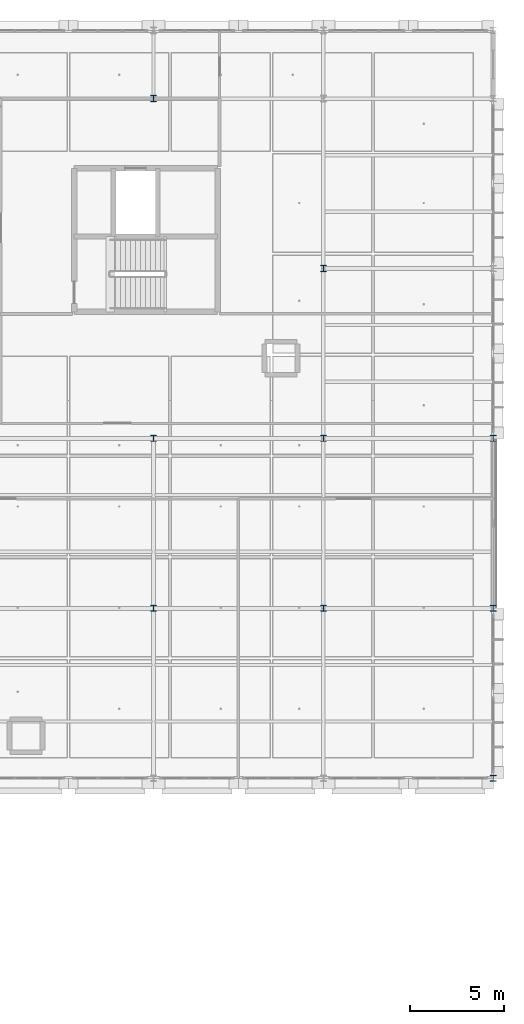
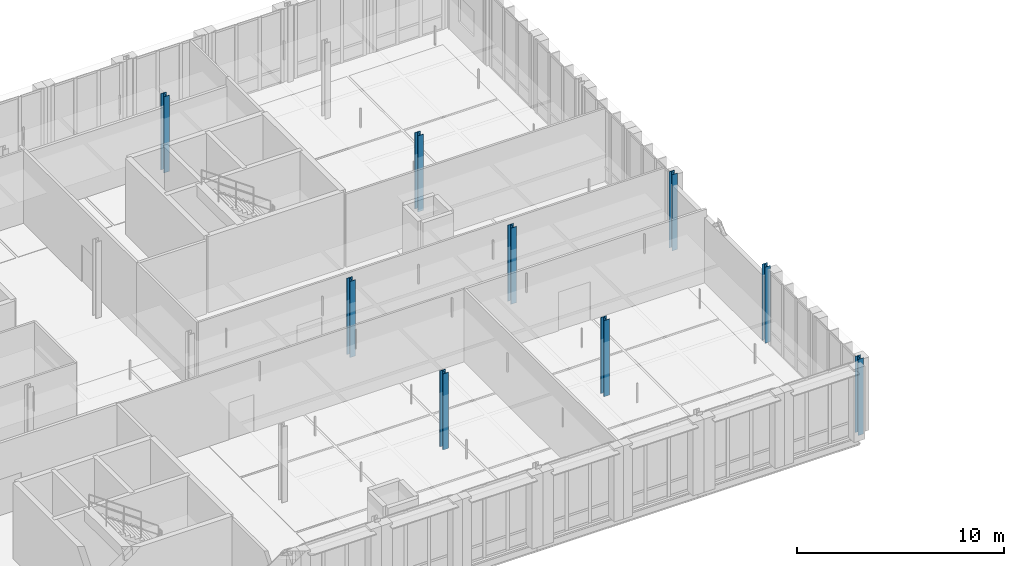
# One storey, part 14 of 89: 9 columns.
"""IFC4 building model written with IfcOpenShell, lengths in metres."""

from ifc_helpers import new_model, si_unit, direction, frame, origin, origin_2d, place, context, subcontext, project, spatial, i_section, extrude, material, material_profile, profile_set, type_object, element, save


model = new_model("IFC4")

# Units and contexts
model_context = context("Model", 3, precision=1e-05, world=origin(), true_north=direction((0.0, 1.0)))
body_context = subcontext(model_context, "Body", "Model", "MODEL_VIEW")
ifc_project = project(units=[si_unit("LENGTHUNIT", "METRE"), si_unit("AREAUNIT", "SQUARE_METRE"), si_unit("VOLUMEUNIT", "CUBIC_METRE"), si_unit("PLANEANGLEUNIT", "RADIAN"), si_unit("MASSUNIT", "GRAM", prefix="KILO"), si_unit("THERMODYNAMICTEMPERATUREUNIT", "KELVIN"), si_unit("POWERUNIT", "WATT")], contexts=[model_context])

# Site, building, storey
site_placement = place(None, origin())
site = spatial("IfcSite", under=ifc_project, at=site_placement, CompositionType="ELEMENT")
building_placement = place(site_placement, origin())
building = spatial("IfcBuilding", under=site, at=building_placement, Name="Tallowbark Science Centre", CompositionType="ELEMENT")
storey_placement = place(building_placement, frame((0.0, 0.0, 14.39990234375)))
storey = spatial("IfcBuildingStorey", under=building, at=storey_placement, Name="L03", CompositionType="ELEMENT", Elevation=14.39990234375)

# Columns
ifc_material = material(Name="Structural Steel Grade 300PLUS (300 MPa)", Category="steel")
ifc_material_profile_1 = material_profile(ifc_material, i_section(OverallWidth=0.311279296875, OverallDepth=0.3271484375, WebThickness=0.015625, FlangeThickness=0.02490234375, FilletRadius=0.0166015625, at=origin_2d()), Name="310UC158")
ifc_profile_set_1 = profile_set([ifc_material_profile_1], Name="Structural Steel Grade 300PLUS (300 MPa)")
column_type_1 = type_object("IfcColumnType", Name="COL-UC310A", PredefinedType="COLUMN", material=ifc_profile_set_1)
for number, where, z_axis, x_axis, name in (
    (1, (139.5, 81.0, 0.0), (0.0, 0.0, 1.0), (1.0, 0.0, 0.0), "Column OBS-3_1 L03"),
    (2, (139.5, 90.0, 0.0), (0.0, 0.0, 1.0), (1.0, 0.0, 0.0), "Column OBS-3_2 L03"),
    (3, (139.5, 108.0, 0.0), (0.0, 0.0, 1.0), (1.0, 0.0, 0.0), "Column OBS-3_4 L03"),
    (4, (148.5, 81.0, 0.0), (0.0, 0.0, 1.0), (1.0, 0.0, 0.0), "Column OBS-4_1 L03"),
    (5, (148.5, 90.0, 0.0), (0.0, 0.0, 1.0), (1.0, 0.0, 0.0), "Column OBS-4_2 L03"),
    (6, (148.5, 99.0, 0.0), (0.0, 0.0, 1.0), (1.0, 0.0, 0.0), "Column OBS-4_3 L03"),
):
    element("IfcColumn", number, at=place(storey_placement, frame(where, z_axis=z_axis, x_axis=x_axis)), inside=storey, type_object=column_type_1, Name=name, PredefinedType="COLUMN", context=body_context, shape_type="SweptSolid", body=[
        extrude(i_section(OverallWidth=0.311279296875, OverallDepth=0.3271484375, WebThickness=0.015625, FlangeThickness=0.02490234375, FilletRadius=0.0166015625, at=origin_2d()), origin(), (0.0, 0.0, 1.0), 4.5),
    ])
ifc_material_profile_2 = material_profile(ifc_material, i_section(OverallWidth=0.304931640625, OverallDepth=0.30810546875, WebThickness=0.010009765625, FlangeThickness=0.015380859375, FilletRadius=0.0166015625, at=origin_2d()), Name="310UC96.8")
ifc_profile_set_2 = profile_set([ifc_material_profile_2], Name="Structural Steel Grade 300PLUS (300 MPa)")
column_type_2 = type_object("IfcColumnType", Name="COL-UC310D", PredefinedType="COLUMN", material=ifc_profile_set_2)
for number, where, z_axis, x_axis, name in (
    (7, (157.5, 72.0, 0.0), (0.0, 0.0, 1.0), (1.0, 0.0, 0.0), "Column OBS-5_0 L03"),
    (8, (157.5, 81.0, 0.0), (0.0, 0.0, 1.0), (1.0, 0.0, 0.0), "Column OBS-5_1 L03"),
    (9, (157.5, 90.0, 0.0), (0.0, 0.0, 1.0), (1.0, 0.0, 0.0), "Column OBS-5_2 L03"),
):
    element("IfcColumn", number, at=place(storey_placement, frame(where, z_axis=z_axis, x_axis=x_axis)), inside=storey, type_object=column_type_2, Name=name, PredefinedType="COLUMN", context=body_context, shape_type="SweptSolid", body=[
        extrude(i_section(OverallWidth=0.304931640625, OverallDepth=0.30810546875, WebThickness=0.010009765625, FlangeThickness=0.015380859375, FilletRadius=0.0166015625, at=origin_2d()), origin(), (0.0, 0.0, 1.0), 4.5),
    ])

save(model, "model.ifc")
